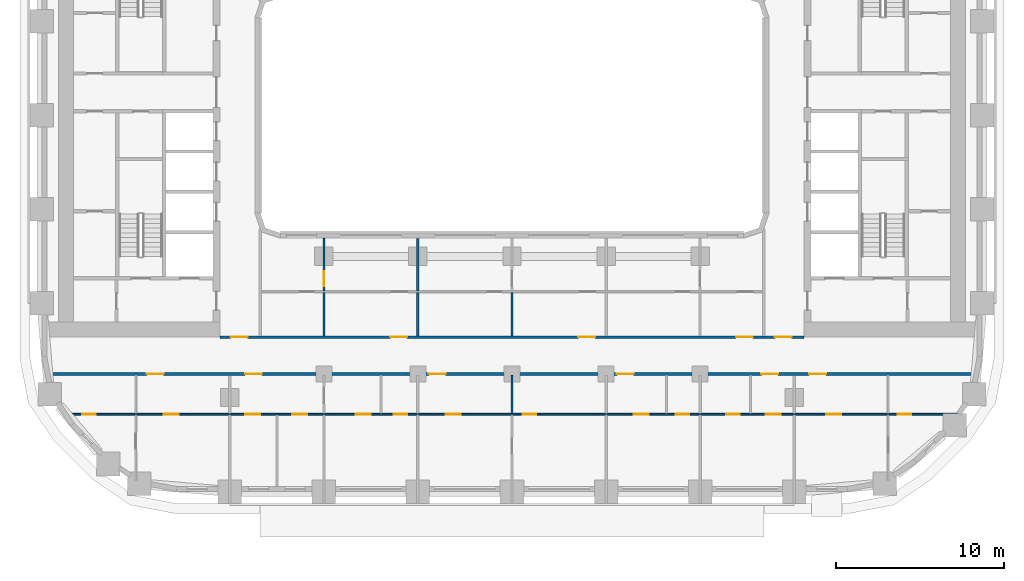
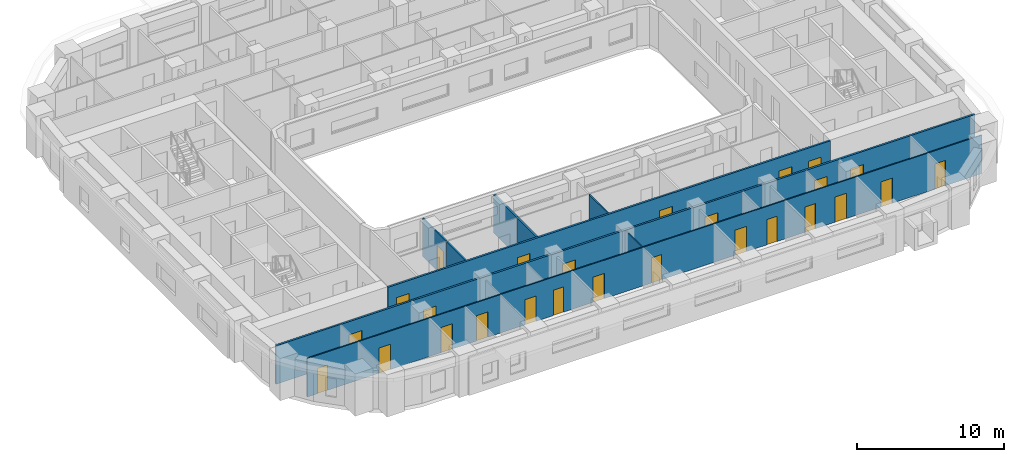
# One storey, part 3 of 22: 26 doors, 9 walls, 26 openings.
"""IFC4 building model written with IfcOpenShell, lengths in metres."""

from ifc_helpers import new_model, si_unit, direction, frame, frame_2d, origin, place, context, subcontext, project, spatial, rectangle, extrude, material, layer, layer_set, type_object, element, fill, save


model = new_model("IFC4")

# Units and contexts
model_context = context("Model", 3, precision=1e-05, world=origin(), true_north=direction((0.0, 1.0)))
body_context = subcontext(model_context, "Body", "Model", "MODEL_VIEW")
ifc_project = project(units=[si_unit("LENGTHUNIT", "METRE"), si_unit("AREAUNIT", "SQUARE_METRE"), si_unit("VOLUMEUNIT", "CUBIC_METRE"), si_unit("PLANEANGLEUNIT", "RADIAN"), si_unit("MASSUNIT", "GRAM", prefix="KILO")], contexts=[model_context])

# Site, building, storey
site_placement = place(None, origin())
site = spatial("IfcSite", under=ifc_project, at=site_placement, CompositionType="ELEMENT")
building_placement = place(site_placement, origin())
building = spatial("IfcBuilding", under=site, at=building_placement, Name="Kiln Ring Residences", CompositionType="ELEMENT")
storey_placement = place(building_placement, frame((0.0, 0.0, 58.5)))
storey = spatial("IfcBuildingStorey", under=building, at=storey_placement, Name="L14", CompositionType="ELEMENT", Elevation=58.5)

# Wall, openings, doors
ifc_material_1 = material(Name="Gypsum board on steel studs", Category="steel")
ifc_layer_1 = layer(ifc_material_1, 0.10009765625)
ifc_layer_set_1 = layer_set([ifc_layer_1], Name="PARTITION-100")
wall_type_1 = type_object("IfcWallType", Name="PARTITION-100", PredefinedType="PARTITIONING", material=ifc_layer_set_1)
wall_1_placement = place(storey_placement, frame((-26.39404296875, -17.800048828125, 0.0), z_axis=(0.0, 0.0, 1.0), x_axis=(1.0, 0.0, 0.0)))
wall_1 = element("IfcWall", 1, at=wall_1_placement, inside=storey, type_object=wall_type_1, Name="Partition 000", PredefinedType="PARTITIONING", context=body_context, shape_type="SweptSolid", body=[
    extrude(rectangle(XDim=53.033935546875, YDim=0.10009765625, at=frame_2d((26.51708984375, 0.0))), origin(), (0.0, 0.0, 1.0), 3.199951171875),
])
opening_1_placement = place(wall_1_placement, frame((0.7939453125, 0.0, 0.0)))
opening_1 = element("IfcOpeningElement", 2, at=opening_1_placement, cuts=wall_1, Name="Opening L14-D054", PredefinedType="OPENING", context=body_context, shape_type="SweptSolid", body=[
    extrude(rectangle(XDim=0.800048828125, YDim=2.10009765625, at=frame_2d((0.39990234375, 1.050048828125))), frame((0.0, 0.06005859375, 0.0), z_axis=(0.0, -1.0, 0.0), x_axis=(1.0, 0.0, 0.0)), (0.0, 0.0, 1.0), 0.1201171875),
])
opening_2_placement = place(wall_1_placement, frame((5.64404296875, 0.0, 0.0)))
opening_2 = element("IfcOpeningElement", 3, at=opening_2_placement, cuts=wall_1, Name="Opening L14-D055", PredefinedType="OPENING", context=body_context, shape_type="SweptSolid", body=[
    extrude(rectangle(XDim=0.89990234375, YDim=2.10009765625, at=frame_2d((0.449951171875, 1.050048828125))), frame((0.0, 0.06005859375, 0.0), z_axis=(0.0, -1.0, 0.0), x_axis=(1.0, 0.0, 0.0)), (0.0, 0.0, 1.0), 0.1201171875),
])
opening_3_placement = place(wall_1_placement, frame((19.343994140625, 0.0, 0.0)))
opening_3 = element("IfcOpeningElement", 4, at=opening_3_placement, cuts=wall_1, Name="Opening L14-D059", PredefinedType="OPENING", context=body_context, shape_type="SweptSolid", body=[
    extrude(rectangle(XDim=0.800048828125, YDim=2.10009765625, at=frame_2d((0.39990234375, 1.050048828125))), frame((0.0, 0.06005859375, 0.0), z_axis=(0.0, -1.0, 0.0), x_axis=(1.0, 0.0, 0.0)), (0.0, 0.0, 1.0), 0.1201171875),
])
opening_4_placement = place(wall_1_placement, frame((17.093994140625, 0.0, 0.0)))
opening_4 = element("IfcOpeningElement", 5, at=opening_4_placement, cuts=wall_1, Name="Opening L14-D060", PredefinedType="OPENING", context=body_context, shape_type="SweptSolid", body=[
    extrude(rectangle(XDim=0.89990234375, YDim=2.10009765625, at=frame_2d((0.449951171875, 1.050048828125))), frame((0.0, 0.06005859375, 0.0), z_axis=(0.0, -1.0, 0.0), x_axis=(1.0, 0.0, 0.0)), (0.0, 0.0, 1.0), 0.1201171875),
])
opening_5_placement = place(wall_1_placement, frame((10.493896484375, 0.0, 0.0)))
opening_5 = element("IfcOpeningElement", 6, at=opening_5_placement, cuts=wall_1, Name="Opening L14-D061", PredefinedType="OPENING", context=body_context, shape_type="SweptSolid", body=[
    extrude(rectangle(XDim=0.89990234375, YDim=2.10009765625, at=frame_2d((0.449951171875, 1.050048828125))), frame((0.0, 0.06005859375, 0.0), z_axis=(0.0, -1.0, 0.0), x_axis=(1.0, 0.0, 0.0)), (0.0, 0.0, 1.0), 0.1201171875),
])
opening_6_placement = place(wall_1_placement, frame((13.2939453125, 0.0, 0.0)))
opening_6 = element("IfcOpeningElement", 7, at=opening_6_placement, cuts=wall_1, Name="Opening L14-D062", PredefinedType="OPENING", context=body_context, shape_type="SweptSolid", body=[
    extrude(rectangle(XDim=0.89990234375, YDim=2.10009765625, at=frame_2d((0.449951171875, 1.050048828125))), frame((0.0, 0.06005859375, 0.0), z_axis=(0.0, -1.0, 0.0), x_axis=(1.0, 0.0, 0.0)), (0.0, 0.0, 1.0), 0.1201171875),
])
opening_7_placement = place(wall_1_placement, frame((27.0439453125, 0.0, 0.0)))
opening_7 = element("IfcOpeningElement", 8, at=opening_7_placement, cuts=wall_1, Name="Opening L14-D064", PredefinedType="OPENING", context=body_context, shape_type="SweptSolid", body=[
    extrude(rectangle(XDim=0.800048828125, YDim=2.10009765625, at=frame_2d((0.39990234375, 1.050048828125))), frame((0.0, 0.06005859375, 0.0), z_axis=(0.0, -1.0, 0.0), x_axis=(1.0, 0.0, 0.0)), (0.0, 0.0, 1.0), 0.1201171875),
])
opening_8_placement = place(wall_1_placement, frame((22.444091796875, 0.0, 0.0)))
opening_8 = element("IfcOpeningElement", 9, at=opening_8_placement, cuts=wall_1, Name="Opening L14-D065", PredefinedType="OPENING", context=body_context, shape_type="SweptSolid", body=[
    extrude(rectangle(XDim=0.89990234375, YDim=2.10009765625, at=frame_2d((0.449951171875, 1.050048828125))), frame((0.0, 0.06005859375, 0.0), z_axis=(0.0, -1.0, 0.0), x_axis=(1.0, 0.0, 0.0)), (0.0, 0.0, 1.0), 0.1201171875),
])
opening_9_placement = place(wall_1_placement, frame((36.14404296875, 0.0, 0.0)))
opening_9 = element("IfcOpeningElement", 10, at=opening_9_placement, cuts=wall_1, Name="Opening L14-D068", PredefinedType="OPENING", context=body_context, shape_type="SweptSolid", body=[
    extrude(rectangle(XDim=0.800048828125, YDim=2.10009765625, at=frame_2d((0.39990234375, 1.050048828125))), frame((0.0, 0.06005859375, 0.0), z_axis=(0.0, -1.0, 0.0), x_axis=(1.0, 0.0, 0.0)), (0.0, 0.0, 1.0), 0.1201171875),
])
opening_10_placement = place(wall_1_placement, frame((33.64404296875, 0.0, 0.0)))
opening_10 = element("IfcOpeningElement", 11, at=opening_10_placement, cuts=wall_1, Name="Opening L14-D069", PredefinedType="OPENING", context=body_context, shape_type="SweptSolid", body=[
    extrude(rectangle(XDim=0.89990234375, YDim=2.10009765625, at=frame_2d((0.449951171875, 1.050048828125))), frame((0.0, 0.06005859375, 0.0), z_axis=(0.0, -1.0, 0.0), x_axis=(1.0, 0.0, 0.0)), (0.0, 0.0, 1.0), 0.1201171875),
])
opening_11_placement = place(wall_1_placement, frame((39.14404296875, 0.0, 0.0)))
opening_11 = element("IfcOpeningElement", 12, at=opening_11_placement, cuts=wall_1, Name="Opening L14-D071", PredefinedType="OPENING", context=body_context, shape_type="SweptSolid", body=[
    extrude(rectangle(XDim=0.800048828125, YDim=2.10009765625, at=frame_2d((0.39990234375, 1.050048828125))), frame((0.0, 0.06005859375, 0.0), z_axis=(0.0, -1.0, 0.0), x_axis=(1.0, 0.0, 0.0)), (0.0, 0.0, 1.0), 0.1201171875),
])
opening_12_placement = place(wall_1_placement, frame((41.493896484375, 0.0, 0.0)))
opening_12 = element("IfcOpeningElement", 13, at=opening_12_placement, cuts=wall_1, Name="Opening L14-D072", PredefinedType="OPENING", context=body_context, shape_type="SweptSolid", body=[
    extrude(rectangle(XDim=0.89990234375, YDim=2.10009765625, at=frame_2d((0.449951171875, 1.050048828125))), frame((0.0, 0.06005859375, 0.0), z_axis=(0.0, -1.0, 0.0), x_axis=(1.0, 0.0, 0.0)), (0.0, 0.0, 1.0), 0.1201171875),
])
opening_13_placement = place(wall_1_placement, frame((49.362060546875, 0.0, 0.0)))
opening_13 = element("IfcOpeningElement", 14, at=opening_13_placement, cuts=wall_1, Name="Opening L14-D074", PredefinedType="OPENING", context=body_context, shape_type="SweptSolid", body=[
    extrude(rectangle(XDim=0.800048828125, YDim=2.10009765625, at=frame_2d((0.39990234375, 1.050048828125))), frame((0.0, 0.06005859375, 0.0), z_axis=(0.0, -1.0, 0.0), x_axis=(1.0, 0.0, 0.0)), (0.0, 0.0, 1.0), 0.1201171875),
])
opening_14_placement = place(wall_1_placement, frame((45.093994140625, 0.0, 0.0)))
opening_14 = element("IfcOpeningElement", 15, at=opening_14_placement, cuts=wall_1, Name="Opening L14-D075", PredefinedType="OPENING", context=body_context, shape_type="SweptSolid", body=[
    extrude(rectangle(XDim=0.89990234375, YDim=2.10009765625, at=frame_2d((0.449951171875, 1.050048828125))), frame((0.0, 0.06005859375, 0.0), z_axis=(0.0, -1.0, 0.0), x_axis=(1.0, 0.0, 0.0)), (0.0, 0.0, 1.0), 0.1201171875),
])
ifc_material_2 = material(Name="Timber door leaf", Category="wood")
door_type_1 = type_object("IfcDoorType", Name="FLAT-DOOR-800-PL", OperationType="SINGLE_SWING_LEFT", PredefinedType="DOOR", material=ifc_material_2)
door_1_placement = place(opening_1_placement, origin())
door_1 = element("IfcDoor", 16, at=door_1_placement, inside=storey, type_object=door_type_1, Name="Door L14-D054", OperationType="SINGLE_SWING_RIGHT", OverallHeight=2.10009765625, OverallWidth=0.800048828125, PredefinedType="DOOR", context=body_context, shape_type="SweptSolid", body=[
    extrude(rectangle(XDim=0.800048828125, YDim=2.10009765625, at=frame_2d((0.39990234375, 1.050048828125))), frame((0.0, 0.02490234375, 0.0), z_axis=(0.0, -1.0, 0.0), x_axis=(1.0, 0.0, 0.0)), (0.0, 0.0, 1.0), 0.050048828125),
])
fill(opening_1, door_1)
door_2_placement = place(opening_3_placement, origin())
door_2 = element("IfcDoor", 17, at=door_2_placement, inside=storey, type_object=door_type_1, Name="Door L14-D059", OperationType="SINGLE_SWING_LEFT", OverallHeight=2.10009765625, OverallWidth=0.800048828125, PredefinedType="DOOR", context=body_context, shape_type="SweptSolid", body=[
    extrude(rectangle(XDim=0.800048828125, YDim=2.10009765625, at=frame_2d((0.39990234375, 1.050048828125))), frame((0.0, 0.02490234375, 0.0), z_axis=(0.0, -1.0, 0.0), x_axis=(1.0, 0.0, 0.0)), (0.0, 0.0, 1.0), 0.050048828125),
])
fill(opening_3, door_2)
door_3_placement = place(opening_7_placement, origin())
door_3 = element("IfcDoor", 18, at=door_3_placement, inside=storey, type_object=door_type_1, Name="Door L14-D064", OperationType="SINGLE_SWING_RIGHT", OverallHeight=2.10009765625, OverallWidth=0.800048828125, PredefinedType="DOOR", context=body_context, shape_type="SweptSolid", body=[
    extrude(rectangle(XDim=0.800048828125, YDim=2.10009765625, at=frame_2d((0.39990234375, 1.050048828125))), frame((0.0, 0.02490234375, 0.0), z_axis=(0.0, -1.0, 0.0), x_axis=(1.0, 0.0, 0.0)), (0.0, 0.0, 1.0), 0.050048828125),
])
fill(opening_7, door_3)
door_4_placement = place(opening_9_placement, origin())
door_4 = element("IfcDoor", 19, at=door_4_placement, inside=storey, type_object=door_type_1, Name="Door L14-D068", OperationType="SINGLE_SWING_RIGHT", OverallHeight=2.10009765625, OverallWidth=0.800048828125, PredefinedType="DOOR", context=body_context, shape_type="SweptSolid", body=[
    extrude(rectangle(XDim=0.800048828125, YDim=2.10009765625, at=frame_2d((0.39990234375, 1.050048828125))), frame((0.0, 0.02490234375, 0.0), z_axis=(0.0, -1.0, 0.0), x_axis=(1.0, 0.0, 0.0)), (0.0, 0.0, 1.0), 0.050048828125),
])
fill(opening_9, door_4)
door_5_placement = place(opening_11_placement, origin())
door_5 = element("IfcDoor", 20, at=door_5_placement, inside=storey, type_object=door_type_1, Name="Door L14-D071", OperationType="SINGLE_SWING_LEFT", OverallHeight=2.10009765625, OverallWidth=0.800048828125, PredefinedType="DOOR", context=body_context, shape_type="SweptSolid", body=[
    extrude(rectangle(XDim=0.800048828125, YDim=2.10009765625, at=frame_2d((0.39990234375, 1.050048828125))), frame((0.0, 0.02490234375, 0.0), z_axis=(0.0, -1.0, 0.0), x_axis=(1.0, 0.0, 0.0)), (0.0, 0.0, 1.0), 0.050048828125),
])
fill(opening_11, door_5)
door_6_placement = place(opening_13_placement, origin())
door_6 = element("IfcDoor", 21, at=door_6_placement, inside=storey, type_object=door_type_1, Name="Door L14-D074", OperationType="SINGLE_SWING_RIGHT", OverallHeight=2.10009765625, OverallWidth=0.800048828125, PredefinedType="DOOR", context=body_context, shape_type="SweptSolid", body=[
    extrude(rectangle(XDim=0.800048828125, YDim=2.10009765625, at=frame_2d((0.39990234375, 1.050048828125))), frame((0.0, 0.02490234375, 0.0), z_axis=(0.0, -1.0, 0.0), x_axis=(1.0, 0.0, 0.0)), (0.0, 0.0, 1.0), 0.050048828125),
])
fill(opening_13, door_6)
ifc_material_3 = material(Name="Timber door leaf", Category="wood")
door_type_2 = type_object("IfcDoorType", Name="FLAT-DOOR-900-PL", OperationType="SINGLE_SWING_LEFT", PredefinedType="DOOR", material=ifc_material_3)
door_7_placement = place(opening_2_placement, origin())
door_7 = element("IfcDoor", 22, at=door_7_placement, inside=storey, type_object=door_type_2, Name="Door L14-D055", OperationType="SINGLE_SWING_LEFT", OverallHeight=2.10009765625, OverallWidth=0.89990234375, PredefinedType="DOOR", context=body_context, shape_type="SweptSolid", body=[
    extrude(rectangle(XDim=0.89990234375, YDim=2.10009765625, at=frame_2d((0.449951171875, 1.050048828125))), frame((0.0, 0.02490234375, 0.0), z_axis=(0.0, -1.0, 0.0), x_axis=(1.0, 0.0, 0.0)), (0.0, 0.0, 1.0), 0.050048828125),
])
fill(opening_2, door_7)
door_8_placement = place(opening_4_placement, origin())
door_8 = element("IfcDoor", 23, at=door_8_placement, inside=storey, type_object=door_type_2, Name="Door L14-D060", OperationType="SINGLE_SWING_RIGHT", OverallHeight=2.10009765625, OverallWidth=0.89990234375, PredefinedType="DOOR", context=body_context, shape_type="SweptSolid", body=[
    extrude(rectangle(XDim=0.89990234375, YDim=2.10009765625, at=frame_2d((0.449951171875, 1.050048828125))), frame((0.0, 0.02490234375, 0.0), z_axis=(0.0, -1.0, 0.0), x_axis=(1.0, 0.0, 0.0)), (0.0, 0.0, 1.0), 0.050048828125),
])
fill(opening_4, door_8)
door_9_placement = place(opening_5_placement, origin())
door_9 = element("IfcDoor", 24, at=door_9_placement, inside=storey, type_object=door_type_2, Name="Door L14-D061", OperationType="SINGLE_SWING_LEFT", OverallHeight=2.10009765625, OverallWidth=0.89990234375, PredefinedType="DOOR", context=body_context, shape_type="SweptSolid", body=[
    extrude(rectangle(XDim=0.89990234375, YDim=2.10009765625, at=frame_2d((0.449951171875, 1.050048828125))), frame((0.0, 0.02490234375, 0.0), z_axis=(0.0, -1.0, 0.0), x_axis=(1.0, 0.0, 0.0)), (0.0, 0.0, 1.0), 0.050048828125),
])
fill(opening_5, door_9)
door_10_placement = place(opening_6_placement, origin())
door_10 = element("IfcDoor", 25, at=door_10_placement, inside=storey, type_object=door_type_2, Name="Door L14-D062", OperationType="SINGLE_SWING_RIGHT", OverallHeight=2.10009765625, OverallWidth=0.89990234375, PredefinedType="DOOR", context=body_context, shape_type="SweptSolid", body=[
    extrude(rectangle(XDim=0.89990234375, YDim=2.10009765625, at=frame_2d((0.449951171875, 1.050048828125))), frame((0.0, 0.02490234375, 0.0), z_axis=(0.0, -1.0, 0.0), x_axis=(1.0, 0.0, 0.0)), (0.0, 0.0, 1.0), 0.050048828125),
])
fill(opening_6, door_10)
door_11_placement = place(opening_8_placement, origin())
door_11 = element("IfcDoor", 26, at=door_11_placement, inside=storey, type_object=door_type_2, Name="Door L14-D065", OperationType="SINGLE_SWING_LEFT", OverallHeight=2.10009765625, OverallWidth=0.89990234375, PredefinedType="DOOR", context=body_context, shape_type="SweptSolid", body=[
    extrude(rectangle(XDim=0.89990234375, YDim=2.10009765625, at=frame_2d((0.449951171875, 1.050048828125))), frame((0.0, 0.02490234375, 0.0), z_axis=(0.0, -1.0, 0.0), x_axis=(1.0, 0.0, 0.0)), (0.0, 0.0, 1.0), 0.050048828125),
])
fill(opening_8, door_11)
door_12_placement = place(opening_10_placement, origin())
door_12 = element("IfcDoor", 27, at=door_12_placement, inside=storey, type_object=door_type_2, Name="Door L14-D069", OperationType="SINGLE_SWING_RIGHT", OverallHeight=2.10009765625, OverallWidth=0.89990234375, PredefinedType="DOOR", context=body_context, shape_type="SweptSolid", body=[
    extrude(rectangle(XDim=0.89990234375, YDim=2.10009765625, at=frame_2d((0.449951171875, 1.050048828125))), frame((0.0, 0.02490234375, 0.0), z_axis=(0.0, -1.0, 0.0), x_axis=(1.0, 0.0, 0.0)), (0.0, 0.0, 1.0), 0.050048828125),
])
fill(opening_10, door_12)
door_13_placement = place(opening_12_placement, origin())
door_13 = element("IfcDoor", 28, at=door_13_placement, inside=storey, type_object=door_type_2, Name="Door L14-D072", OperationType="SINGLE_SWING_RIGHT", OverallHeight=2.10009765625, OverallWidth=0.89990234375, PredefinedType="DOOR", context=body_context, shape_type="SweptSolid", body=[
    extrude(rectangle(XDim=0.89990234375, YDim=2.10009765625, at=frame_2d((0.449951171875, 1.050048828125))), frame((0.0, 0.02490234375, 0.0), z_axis=(0.0, -1.0, 0.0), x_axis=(1.0, 0.0, 0.0)), (0.0, 0.0, 1.0), 0.050048828125),
])
fill(opening_12, door_13)
door_14_placement = place(opening_14_placement, origin())
door_14 = element("IfcDoor", 29, at=door_14_placement, inside=storey, type_object=door_type_2, Name="Door L14-D075", OperationType="SINGLE_SWING_LEFT", OverallHeight=2.10009765625, OverallWidth=0.89990234375, PredefinedType="DOOR", context=body_context, shape_type="SweptSolid", body=[
    extrude(rectangle(XDim=0.89990234375, YDim=2.10009765625, at=frame_2d((0.449951171875, 1.050048828125))), frame((0.0, 0.02490234375, 0.0), z_axis=(0.0, -1.0, 0.0), x_axis=(1.0, 0.0, 0.0)), (0.0, 0.0, 1.0), 0.050048828125),
])
fill(opening_14, door_14)

# Wall
wall_2_placement = place(storey_placement, frame((-11.199951171875, -13.125, 0.0), z_axis=(0.0, 0.0, 1.0), x_axis=(0.0, 1.0, 0.0)))
element("IfcWall", 30, at=wall_2_placement, inside=storey, type_object=wall_type_1, Name="Partition 022", PredefinedType="PARTITIONING", context=body_context, shape_type="SweptSolid", body=[
    extrude(rectangle(XDim=2.574951171875, YDim=0.10009765625, at=frame_2d((1.28759765625, 0.0))), origin(), (0.0, 0.0, 1.0), 3.199951171875),
])

# Wall, opening, door
wall_3_placement = place(storey_placement, frame((-11.199951171875, -10.449951171875, 0.0), z_axis=(0.0, 0.0, 1.0), x_axis=(0.0, 1.0, 0.0)))
wall_3 = element("IfcWall", 31, at=wall_3_placement, inside=storey, type_object=wall_type_1, Name="Partition 023", PredefinedType="PARTITIONING", context=body_context, shape_type="SweptSolid", body=[
    extrude(rectangle(XDim=3.1298828125, YDim=0.10009765625, at=frame_2d((1.56494140625, 0.0))), origin(), (0.0, 0.0, 1.0), 3.199951171875),
])
opening_15_placement = place(wall_3_placement, frame((0.280029296875, 0.0, 0.0)))
opening_15 = element("IfcOpeningElement", 32, at=opening_15_placement, cuts=wall_3, Name="Opening L14-D044", PredefinedType="OPENING", context=body_context, shape_type="SweptSolid", body=[
    extrude(rectangle(XDim=0.89990234375, YDim=2.10009765625, at=frame_2d((0.449951171875, 1.050048828125))), frame((0.0, 0.06005859375, 0.0), z_axis=(0.0, -1.0, 0.0), x_axis=(1.0, 0.0, 0.0)), (0.0, 0.0, 1.0), 0.1201171875),
])
door_15_placement = place(opening_15_placement, origin())
door_15 = element("IfcDoor", 33, at=door_15_placement, inside=storey, type_object=door_type_2, Name="Door L14-D044", OperationType="SINGLE_SWING_RIGHT", OverallHeight=2.10009765625, OverallWidth=0.89990234375, PredefinedType="DOOR", context=body_context, shape_type="SweptSolid", body=[
    extrude(rectangle(XDim=0.89990234375, YDim=2.10009765625, at=frame_2d((0.449951171875, 1.050048828125))), frame((0.0, 0.02490234375, 0.0), z_axis=(0.0, -1.0, 0.0), x_axis=(1.0, 0.0, 0.0)), (0.0, 0.0, 1.0), 0.050048828125),
])
fill(opening_15, door_15)

# Walls
wall_4_placement = place(storey_placement, frame((0.0, -17.75, 0.0), z_axis=(0.0, 0.0, 1.0), x_axis=(0.0, 1.0, 0.0)))
element("IfcWall", 34, at=wall_4_placement, inside=storey, type_object=wall_type_1, Name="Partition 039", PredefinedType="PARTITIONING", context=body_context, shape_type="SweptSolid", body=[
    extrude(rectangle(XDim=2.27490234375, YDim=0.10009765625, at=frame_2d((1.137451171875, 0.0))), origin(), (0.0, 0.0, 1.0), 3.199951171875),
])
wall_5_placement = place(storey_placement, frame((0.0, -13.125, 0.0), z_axis=(0.0, 0.0, 1.0), x_axis=(0.0, 1.0, 0.0)))
element("IfcWall", 35, at=wall_5_placement, inside=storey, type_object=wall_type_1, Name="Partition 040", PredefinedType="PARTITIONING", context=body_context, shape_type="SweptSolid", body=[
    extrude(rectangle(XDim=2.574951171875, YDim=0.10009765625, at=frame_2d((1.28759765625, 0.0))), origin(), (0.0, 0.0, 1.0), 3.199951171875),
])

# Wall, openings, doors
ifc_material_4 = material(Name="Brick masonry partition", Category="masonry")
ifc_layer_2 = layer(ifc_material_4, 0.14990234375)
ifc_layer_set_2 = layer_set([ifc_layer_2], Name="PARTITION-150-ei60")
wall_type_2 = type_object("IfcWallType", Name="PARTITION-150-ei60", PredefinedType="PARTITIONING", material=ifc_layer_set_2)
wall_6_placement = place(storey_placement, frame((-27.48388671875, -15.39990234375, 0.0), z_axis=(0.0, 0.0, 1.0), x_axis=(1.0, 0.0, 0.0)))
wall_6 = element("IfcWall", 36, at=wall_6_placement, inside=storey, type_object=wall_type_2, Name="Partition 001", PredefinedType="PARTITIONING", context=body_context, shape_type="SweptSolid", body=[
    extrude(rectangle(XDim=54.9677734375, YDim=0.14990234375, at=frame_2d((27.48388671875, 0.0))), origin(), (0.0, 0.0, 1.0), 3.199951171875),
])
opening_16_placement = place(wall_6_placement, frame((5.73388671875, 0.0, 0.0)))
opening_16 = element("IfcOpeningElement", 37, at=opening_16_placement, cuts=wall_6, Name="Opening L14-D053", PredefinedType="OPENING", context=body_context, shape_type="SweptSolid", body=[
    extrude(rectangle(XDim=1.0, YDim=2.10009765625, at=frame_2d((0.5, 1.050048828125))), frame((0.0, 0.0849609375, 0.0), z_axis=(0.0, -1.0, 0.0), x_axis=(1.0, 0.0, 0.0)), (0.0, 0.0, 1.0), 0.169921875),
])
opening_17_placement = place(wall_6_placement, frame((11.583740234375, 0.0, 0.0)))
opening_17 = element("IfcOpeningElement", 38, at=opening_17_placement, cuts=wall_6, Name="Opening L14-D057", PredefinedType="OPENING", context=body_context, shape_type="SweptSolid", body=[
    extrude(rectangle(XDim=1.0, YDim=2.10009765625, at=frame_2d((0.5, 1.050048828125))), frame((0.0, 0.0849609375, 0.0), z_axis=(0.0, -1.0, 0.0), x_axis=(1.0, 0.0, 0.0)), (0.0, 0.0, 1.0), 0.169921875),
])
opening_18_placement = place(wall_6_placement, frame((22.53369140625, 0.0, 0.0)))
opening_18 = element("IfcOpeningElement", 39, at=opening_18_placement, cuts=wall_6, Name="Opening L14-D063", PredefinedType="OPENING", context=body_context, shape_type="SweptSolid", body=[
    extrude(rectangle(XDim=1.0, YDim=2.10009765625, at=frame_2d((0.5, 1.050048828125))), frame((0.0, 0.0849609375, 0.0), z_axis=(0.0, -1.0, 0.0), x_axis=(1.0, 0.0, 0.0)), (0.0, 0.0, 1.0), 0.169921875),
])
opening_19_placement = place(wall_6_placement, frame((33.73388671875, 0.0, 0.0)))
opening_19 = element("IfcOpeningElement", 40, at=opening_19_placement, cuts=wall_6, Name="Opening L14-D067", PredefinedType="OPENING", context=body_context, shape_type="SweptSolid", body=[
    extrude(rectangle(XDim=1.0, YDim=2.10009765625, at=frame_2d((0.5, 1.050048828125))), frame((0.0, 0.0849609375, 0.0), z_axis=(0.0, -1.0, 0.0), x_axis=(1.0, 0.0, 0.0)), (0.0, 0.0, 1.0), 0.169921875),
])
opening_20_placement = place(wall_6_placement, frame((42.333740234375, 0.0, 0.0)))
opening_20 = element("IfcOpeningElement", 41, at=opening_20_placement, cuts=wall_6, Name="Opening L14-D070", PredefinedType="OPENING", context=body_context, shape_type="SweptSolid", body=[
    extrude(rectangle(XDim=1.0, YDim=2.10009765625, at=frame_2d((0.5, 1.050048828125))), frame((0.0, 0.0849609375, 0.0), z_axis=(0.0, -1.0, 0.0), x_axis=(1.0, 0.0, 0.0)), (0.0, 0.0, 1.0), 0.169921875),
])
opening_21_placement = place(wall_6_placement, frame((45.183837890625, 0.0, 0.0)))
opening_21 = element("IfcOpeningElement", 42, at=opening_21_placement, cuts=wall_6, Name="Opening L14-D073", PredefinedType="OPENING", context=body_context, shape_type="SweptSolid", body=[
    extrude(rectangle(XDim=1.0, YDim=2.10009765625, at=frame_2d((0.5, 1.050048828125))), frame((0.0, 0.0849609375, 0.0), z_axis=(0.0, -1.0, 0.0), x_axis=(1.0, 0.0, 0.0)), (0.0, 0.0, 1.0), 0.169921875),
])
ifc_material_5 = material(Name="Steel faced fire door leaf", Category="steel")
door_type_3 = type_object("IfcDoorType", Name="FLAT-DOOR-1000-FR", OperationType="SINGLE_SWING_LEFT", PredefinedType="DOOR", material=ifc_material_5)
door_16_placement = place(opening_16_placement, origin())
door_16 = element("IfcDoor", 43, at=door_16_placement, inside=storey, type_object=door_type_3, Name="Door L14-D053", OperationType="SINGLE_SWING_LEFT", OverallHeight=2.10009765625, OverallWidth=1.0, PredefinedType="DOOR", context=body_context, shape_type="SweptSolid", body=[
    extrude(rectangle(XDim=1.0, YDim=2.10009765625, at=frame_2d((0.5, 1.050048828125))), frame((0.0, 0.02490234375, 0.0), z_axis=(0.0, -1.0, 0.0), x_axis=(1.0, 0.0, 0.0)), (0.0, 0.0, 1.0), 0.050048828125),
])
fill(opening_16, door_16)
door_17_placement = place(opening_17_placement, origin())
door_17 = element("IfcDoor", 44, at=door_17_placement, inside=storey, type_object=door_type_3, Name="Door L14-D057", OperationType="SINGLE_SWING_LEFT", OverallHeight=2.10009765625, OverallWidth=1.0, PredefinedType="DOOR", context=body_context, shape_type="SweptSolid", body=[
    extrude(rectangle(XDim=1.0, YDim=2.10009765625, at=frame_2d((0.5, 1.050048828125))), frame((0.0, 0.02490234375, 0.0), z_axis=(0.0, -1.0, 0.0), x_axis=(1.0, 0.0, 0.0)), (0.0, 0.0, 1.0), 0.050048828125),
])
fill(opening_17, door_17)
door_18_placement = place(opening_18_placement, origin())
door_18 = element("IfcDoor", 45, at=door_18_placement, inside=storey, type_object=door_type_3, Name="Door L14-D063", OperationType="SINGLE_SWING_LEFT", OverallHeight=2.10009765625, OverallWidth=1.0, PredefinedType="DOOR", context=body_context, shape_type="SweptSolid", body=[
    extrude(rectangle(XDim=1.0, YDim=2.10009765625, at=frame_2d((0.5, 1.050048828125))), frame((0.0, 0.02490234375, 0.0), z_axis=(0.0, -1.0, 0.0), x_axis=(1.0, 0.0, 0.0)), (0.0, 0.0, 1.0), 0.050048828125),
])
fill(opening_18, door_18)
door_19_placement = place(opening_19_placement, origin())
door_19 = element("IfcDoor", 46, at=door_19_placement, inside=storey, type_object=door_type_3, Name="Door L14-D067", OperationType="SINGLE_SWING_LEFT", OverallHeight=2.10009765625, OverallWidth=1.0, PredefinedType="DOOR", context=body_context, shape_type="SweptSolid", body=[
    extrude(rectangle(XDim=1.0, YDim=2.10009765625, at=frame_2d((0.5, 1.050048828125))), frame((0.0, 0.02490234375, 0.0), z_axis=(0.0, -1.0, 0.0), x_axis=(1.0, 0.0, 0.0)), (0.0, 0.0, 1.0), 0.050048828125),
])
fill(opening_19, door_19)
door_20_placement = place(opening_20_placement, origin())
door_20 = element("IfcDoor", 47, at=door_20_placement, inside=storey, type_object=door_type_3, Name="Door L14-D070", OperationType="SINGLE_SWING_LEFT", OverallHeight=2.10009765625, OverallWidth=1.0, PredefinedType="DOOR", context=body_context, shape_type="SweptSolid", body=[
    extrude(rectangle(XDim=1.0, YDim=2.10009765625, at=frame_2d((0.5, 1.050048828125))), frame((0.0, 0.02490234375, 0.0), z_axis=(0.0, -1.0, 0.0), x_axis=(1.0, 0.0, 0.0)), (0.0, 0.0, 1.0), 0.050048828125),
])
fill(opening_20, door_20)
door_21_placement = place(opening_21_placement, origin())
door_21 = element("IfcDoor", 48, at=door_21_placement, inside=storey, type_object=door_type_3, Name="Door L14-D073", OperationType="SINGLE_SWING_LEFT", OverallHeight=2.10009765625, OverallWidth=1.0, PredefinedType="DOOR", context=body_context, shape_type="SweptSolid", body=[
    extrude(rectangle(XDim=1.0, YDim=2.10009765625, at=frame_2d((0.5, 1.050048828125))), frame((0.0, 0.02490234375, 0.0), z_axis=(0.0, -1.0, 0.0), x_axis=(1.0, 0.0, 0.0)), (0.0, 0.0, 1.0), 0.050048828125),
])
fill(opening_21, door_21)

wall_7_placement = place(storey_placement, frame((-17.39990234375, -13.199951171875, 0.0), z_axis=(0.0, 0.0, 1.0), x_axis=(1.0, 0.0, 0.0)))
wall_7 = element("IfcWall", 49, at=wall_7_placement, inside=storey, type_object=wall_type_2, Name="Partition 002", PredefinedType="PARTITIONING", context=body_context, shape_type="SweptSolid", body=[
    extrude(rectangle(XDim=34.7998046875, YDim=0.14990234375, at=frame_2d((17.39990234375, 0.0))), origin(), (0.0, 0.0, 1.0), 3.199951171875),
])
opening_22_placement = place(wall_7_placement, frame((0.64990234375, 0.0, 0.0)))
opening_22 = element("IfcOpeningElement", 50, at=opening_22_placement, cuts=wall_7, Name="Opening L14-D003", PredefinedType="OPENING", context=body_context, shape_type="SweptSolid", body=[
    extrude(rectangle(XDim=1.0, YDim=2.10009765625, at=frame_2d((0.5, 1.050048828125))), frame((0.0, 0.0849609375, 0.0), z_axis=(0.0, -1.0, 0.0), x_axis=(1.0, 0.0, 0.0)), (0.0, 0.0, 1.0), 0.169921875),
])
opening_23_placement = place(wall_7_placement, frame((33.050048828125, 0.0, 0.0)))
opening_23 = element("IfcOpeningElement", 51, at=opening_23_placement, cuts=wall_7, Name="Opening L14-D004", PredefinedType="OPENING", context=body_context, shape_type="SweptSolid", body=[
    extrude(rectangle(XDim=1.0, YDim=2.10009765625, at=frame_2d((0.5, 1.050048828125))), frame((0.0, 0.0849609375, 0.0), z_axis=(0.0, -1.0, 0.0), x_axis=(1.0, 0.0, 0.0)), (0.0, 0.0, 1.0), 0.169921875),
])
opening_24_placement = place(wall_7_placement, frame((10.14990234375, 0.0, 0.0)))
opening_24 = element("IfcOpeningElement", 52, at=opening_24_placement, cuts=wall_7, Name="Opening L14-D041", PredefinedType="OPENING", context=body_context, shape_type="SweptSolid", body=[
    extrude(rectangle(XDim=1.0, YDim=2.10009765625, at=frame_2d((0.5, 1.050048828125))), frame((0.0, 0.0849609375, 0.0), z_axis=(0.0, -1.0, 0.0), x_axis=(1.0, 0.0, 0.0)), (0.0, 0.0, 1.0), 0.169921875),
])
opening_25_placement = place(wall_7_placement, frame((21.35009765625, 0.0, 0.0)))
opening_25 = element("IfcOpeningElement", 53, at=opening_25_placement, cuts=wall_7, Name="Opening L14-D045", PredefinedType="OPENING", context=body_context, shape_type="SweptSolid", body=[
    extrude(rectangle(XDim=1.0, YDim=2.10009765625, at=frame_2d((0.5, 1.050048828125))), frame((0.0, 0.0849609375, 0.0), z_axis=(0.0, -1.0, 0.0), x_axis=(1.0, 0.0, 0.0)), (0.0, 0.0, 1.0), 0.169921875),
])
opening_26_placement = place(wall_7_placement, frame((30.75, 0.0, 0.0)))
opening_26 = element("IfcOpeningElement", 54, at=opening_26_placement, cuts=wall_7, Name="Opening L14-D049", PredefinedType="OPENING", context=body_context, shape_type="SweptSolid", body=[
    extrude(rectangle(XDim=1.0, YDim=2.10009765625, at=frame_2d((0.5, 1.050048828125))), frame((0.0, 0.0849609375, 0.0), z_axis=(0.0, -1.0, 0.0), x_axis=(1.0, 0.0, 0.0)), (0.0, 0.0, 1.0), 0.169921875),
])
door_22_placement = place(opening_22_placement, origin())
door_22 = element("IfcDoor", 55, at=door_22_placement, inside=storey, type_object=door_type_3, Name="Door L14-D003", OperationType="SINGLE_SWING_RIGHT", OverallHeight=2.10009765625, OverallWidth=1.0, PredefinedType="DOOR", context=body_context, shape_type="SweptSolid", body=[
    extrude(rectangle(XDim=1.0, YDim=2.10009765625, at=frame_2d((0.5, 1.050048828125))), frame((0.0, 0.02490234375, 0.0), z_axis=(0.0, -1.0, 0.0), x_axis=(1.0, 0.0, 0.0)), (0.0, 0.0, 1.0), 0.050048828125),
])
fill(opening_22, door_22)
door_23_placement = place(opening_23_placement, origin())
door_23 = element("IfcDoor", 56, at=door_23_placement, inside=storey, type_object=door_type_3, Name="Door L14-D004", OperationType="SINGLE_SWING_LEFT", OverallHeight=2.10009765625, OverallWidth=1.0, PredefinedType="DOOR", context=body_context, shape_type="SweptSolid", body=[
    extrude(rectangle(XDim=1.0, YDim=2.10009765625, at=frame_2d((0.5, 1.050048828125))), frame((0.0, 0.02490234375, 0.0), z_axis=(0.0, -1.0, 0.0), x_axis=(1.0, 0.0, 0.0)), (0.0, 0.0, 1.0), 0.050048828125),
])
fill(opening_23, door_23)
door_24_placement = place(opening_24_placement, origin())
door_24 = element("IfcDoor", 57, at=door_24_placement, inside=storey, type_object=door_type_3, Name="Door L14-D041", OperationType="SINGLE_SWING_LEFT", OverallHeight=2.10009765625, OverallWidth=1.0, PredefinedType="DOOR", context=body_context, shape_type="SweptSolid", body=[
    extrude(rectangle(XDim=1.0, YDim=2.10009765625, at=frame_2d((0.5, 1.050048828125))), frame((0.0, 0.02490234375, 0.0), z_axis=(0.0, -1.0, 0.0), x_axis=(1.0, 0.0, 0.0)), (0.0, 0.0, 1.0), 0.050048828125),
])
fill(opening_24, door_24)
door_25_placement = place(opening_25_placement, origin())
door_25 = element("IfcDoor", 58, at=door_25_placement, inside=storey, type_object=door_type_3, Name="Door L14-D045", OperationType="SINGLE_SWING_LEFT", OverallHeight=2.10009765625, OverallWidth=1.0, PredefinedType="DOOR", context=body_context, shape_type="SweptSolid", body=[
    extrude(rectangle(XDim=1.0, YDim=2.10009765625, at=frame_2d((0.5, 1.050048828125))), frame((0.0, 0.02490234375, 0.0), z_axis=(0.0, -1.0, 0.0), x_axis=(1.0, 0.0, 0.0)), (0.0, 0.0, 1.0), 0.050048828125),
])
fill(opening_25, door_25)
door_26_placement = place(opening_26_placement, origin())
door_26 = element("IfcDoor", 59, at=door_26_placement, inside=storey, type_object=door_type_3, Name="Door L14-D049", OperationType="SINGLE_SWING_LEFT", OverallHeight=2.10009765625, OverallWidth=1.0, PredefinedType="DOOR", context=body_context, shape_type="SweptSolid", body=[
    extrude(rectangle(XDim=1.0, YDim=2.10009765625, at=frame_2d((0.5, 1.050048828125))), frame((0.0, 0.02490234375, 0.0), z_axis=(0.0, -1.0, 0.0), x_axis=(1.0, 0.0, 0.0)), (0.0, 0.0, 1.0), 0.050048828125),
])
fill(opening_26, door_26)

# Walls
wall_8_placement = place(storey_placement, frame((-5.60009765625, -13.125, 0.0), z_axis=(0.0, 0.0, 1.0), x_axis=(0.0, 1.0, 0.0)))
element("IfcWall", 60, at=wall_8_placement, inside=storey, type_object=wall_type_2, Name="Partition 033", PredefinedType="PARTITIONING", context=body_context, shape_type="SweptSolid", body=[
    extrude(rectangle(XDim=2.574951171875, YDim=0.14990234375, at=frame_2d((1.28759765625, 0.0))), origin(), (0.0, 0.0, 1.0), 3.199951171875),
])
wall_9_placement = place(storey_placement, frame((-5.60009765625, -10.449951171875, 0.0), z_axis=(0.0, 0.0, 1.0), x_axis=(0.0, 1.0, 0.0)))
element("IfcWall", 61, at=wall_9_placement, inside=storey, type_object=wall_type_2, Name="Partition 034", PredefinedType="PARTITIONING", context=body_context, shape_type="SweptSolid", body=[
    extrude(rectangle(XDim=3.1298828125, YDim=0.14990234375, at=frame_2d((1.56494140625, 0.0))), origin(), (0.0, 0.0, 1.0), 3.199951171875),
])

save(model, "model.ifc")
